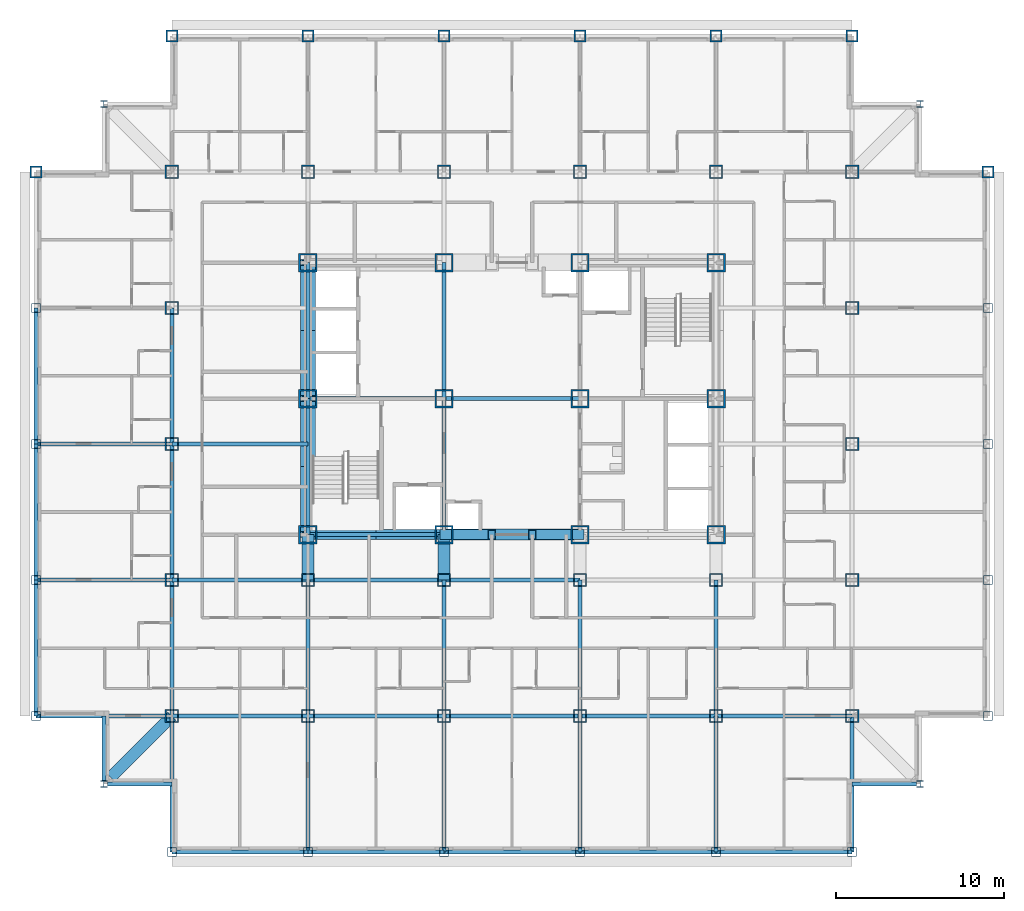
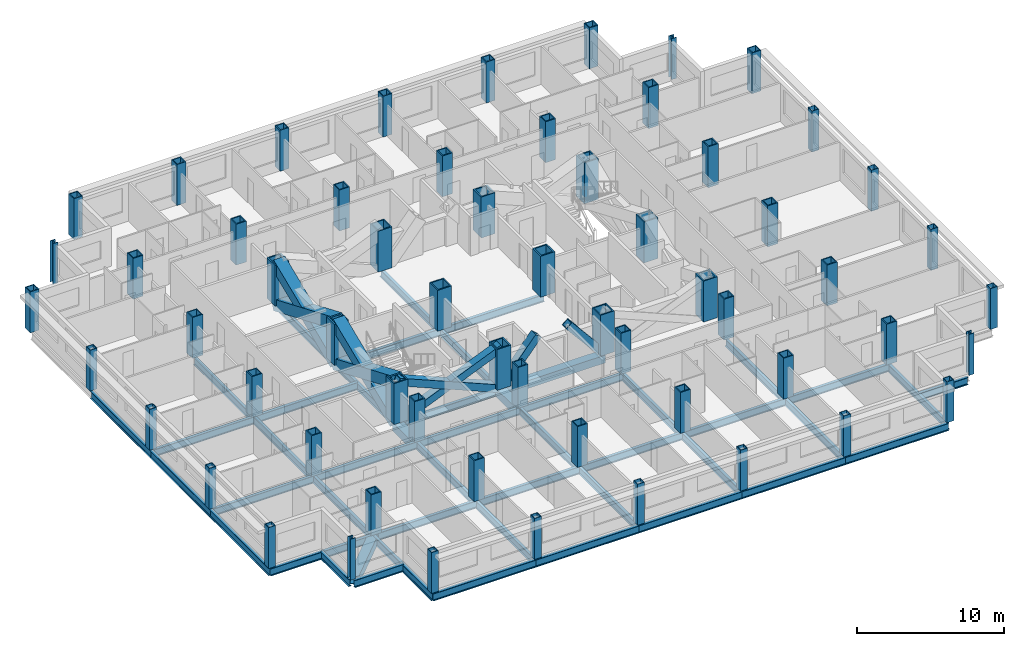
# One storey, part 1 of 15: 60 columns, 47 beams, 8 members.
"""IFC4 building model written with IfcOpenShell, lengths in metres."""

import ifcopenshell
import ifcopenshell.guid

model = None  # the IFC model being written
_history = None  # IfcOwnerHistory: only IFC2X3 demands one
_inside = {}  # id of a spatial element -> (the spatial element, [elements in it])
_under = {}  # id of a project, library or spatial element -> (it, [spatial elements below it])
_declared = {}  # id of a project -> (the project, [libraries it declares])
_typed = {}  # id of a type object -> (the type object, [elements of that type])
_made_of = {}  # id of a material, layer set ... -> (it, [elements and type objects made of it])


def new_model(schema):
    """Start an empty IFC model of exactly this schema.

    Asked for "IFC4X3", IfcOpenShell would pick the latest addendum, in which some entities
    have other attributes; the version numbers below select the first issue.
    IFC2X3 requires an IfcOwnerHistory on every rooted entity: one is made here for all.
    """
    global model, _history
    if schema == "IFC4X3":
        model = ifcopenshell.file(schema_version=(4, 3, 0, 0))
    else:
        model = ifcopenshell.file(schema=schema)
    _inside.clear()
    _under.clear()
    _declared.clear()
    _typed.clear()
    _made_of.clear()
    _history = None
    if model.schema == "IFC2X3":
        org = make("IfcOrganization", Name="unknown")
        user = make(
            "IfcPersonAndOrganization",
            ThePerson=make("IfcPerson", FamilyName="unknown"),
            TheOrganization=org,
        )
        app = make(
            "IfcApplication",
            ApplicationDeveloper=org,
            Version="unknown",
            ApplicationFullName="unknown",
            ApplicationIdentifier="unknown",
        )
        _history = make(
            "IfcOwnerHistory",
            OwningUser=user,
            OwningApplication=app,
            ChangeAction="ADDED",
            CreationDate=0,
        )
    return model


def make(cls, **values):
    """One entity of the class cls with the attributes given. An attribute that is None is left unset."""
    return model.create_entity(
        cls, **{name: value for name, value in values.items() if value is not None}
    )


def rooted(cls, **values):
    """An entity with a GlobalId (a new one), such as an element, a storey or a relation."""
    return make(cls, GlobalId=ifcopenshell.guid.new(), OwnerHistory=_history, **values)


def si_unit(unit_type, name, prefix=None):
    """IfcSIUnit, for example si_unit("LENGTHUNIT", "METRE", prefix="MILLI")."""
    return make("IfcSIUnit", UnitType=unit_type, Prefix=prefix, Name=name)


def assignment(units):
    """IfcUnitAssignment: the units of a project."""
    return None if units is None else make("IfcUnitAssignment", Units=units)


def point(xyz):
    """IfcCartesianPoint."""
    return None if xyz is None else make("IfcCartesianPoint", Coordinates=xyz)


def direction(xyz):
    """IfcDirection."""
    return None if xyz is None else make("IfcDirection", DirectionRatios=xyz)


def frame(location, z_axis=None, x_axis=None):
    """IfcAxis2Placement3D, a coordinate frame: its origin and axes. An axis left out is left unset."""
    return make(
        "IfcAxis2Placement3D",
        Location=point(location),
        Axis=direction(z_axis),
        RefDirection=direction(x_axis),
    )


def frame_2d(location, x_axis=None):
    """IfcAxis2Placement2D, a coordinate frame in the plane: its origin and x axis."""
    return make(
        "IfcAxis2Placement2D", Location=point(location), RefDirection=direction(x_axis)
    )


def origin():
    """The frame at (0, 0, 0) with its axes left unset."""
    return frame((0.0, 0.0, 0.0))


def origin_2d():
    """The frame at (0, 0) in the plane with its x axis left unset."""
    return frame_2d((0.0, 0.0))


def place(relative_to, where):
    """IfcLocalPlacement: puts the frame where relative to a parent placement (None: the world)."""
    return make(
        "IfcLocalPlacement", PlacementRelTo=relative_to, RelativePlacement=where
    )


def context(
    kind, dimensions, precision=None, world=None, true_north=None, identifier=None
):
    """IfcGeometricRepresentationContext, for example the 3D "Model" context."""
    return make(
        "IfcGeometricRepresentationContext",
        ContextIdentifier=identifier,
        ContextType=kind,
        CoordinateSpaceDimension=dimensions,
        Precision=precision,
        WorldCoordinateSystem=world,
        TrueNorth=true_north,
    )


def subcontext(parent, identifier, kind, view, scale=None):
    """IfcGeometricRepresentationSubContext, for example "Body" below "Model"."""
    return make(
        "IfcGeometricRepresentationSubContext",
        ContextIdentifier=identifier,
        ContextType=kind,
        ParentContext=parent,
        TargetScale=scale,
        TargetView=view,
    )


def project(units=None, contexts=None):
    """IfcProject with its units and contexts."""
    return rooted(
        "IfcProject",
        Name="project",
        RepresentationContexts=contexts,
        UnitsInContext=assignment(units),
    )


def spatial(cls, under=None, at=None, **own):
    """A site, building, storey or space (cls), placed at a placement, below another one or the project."""
    s = rooted(cls, ObjectPlacement=at, **own)
    if under is not None:
        _under.setdefault(under.id(), (under, []))[1].append(s)
    return s


def profile(cls, at=None, kind="AREA", **sizes):
    """A parametric profile (cls). Its sizes go by their IFC names, for example OverallWidth=200.0."""
    return make(cls, ProfileType=kind, Position=at, **sizes)


def hollow_rectangle(**sizes):
    """IfcRectangleHollowProfileDef."""
    return profile("IfcRectangleHollowProfileDef", **sizes)


def i_section(**sizes):
    """IfcIShapeProfileDef."""
    return profile("IfcIShapeProfileDef", **sizes)


def extrude(swept, where, along, depth):
    """IfcExtrudedAreaSolid: the profile swept, set in the frame where, extruded along a direction by depth."""
    return make(
        "IfcExtrudedAreaSolid",
        SweptArea=swept,
        Position=where,
        ExtrudedDirection=direction(along),
        Depth=depth,
    )


def shape(context_of_items, identifier, shape_type, items):
    """IfcShapeRepresentation: the items that make up one representation, for example the "Body"."""
    return make(
        "IfcShapeRepresentation",
        ContextOfItems=context_of_items,
        RepresentationIdentifier=identifier,
        RepresentationType=shape_type,
        Items=items,
    )


def material(Name=None, Category=None):
    """IfcMaterial."""
    return make("IfcMaterial", Name=Name, Category=Category)


def material_profile(
    of_material, cross_section, Name=None, Category=None, Priority=None
):
    """IfcMaterialProfile: a cross section and its material."""
    return make(
        "IfcMaterialProfile",
        Name=Name,
        Material=of_material,
        Profile=cross_section,
        Priority=Priority,
        Category=Category,
    )


def profile_set(profiles, Name=None, composite=None):
    """IfcMaterialProfileSet."""
    return make(
        "IfcMaterialProfileSet",
        Name=Name,
        MaterialProfiles=profiles,
        CompositeProfile=composite,
    )


def made_of(thing, what):
    """Note that an element or type object is made of a material, layer set ...; save() writes the relation."""
    if what is not None:
        _made_of.setdefault(what.id(), (what, []))[1].append(thing)
    return thing


def type_object(cls, material=None, **own):
    """A type object (cls), such as IfcWallType, which elements share."""
    return made_of(rooted(cls, **own), material)


def element(
    cls,
    number,
    at=None,
    inside=None,
    cuts=None,
    type_object=None,
    material=None,
    context=None,
    identifier="Body",
    shape_type=None,
    held_by="IfcProductDefinitionShape",
    body=None,
    shapes=None,
    **own,
):
    """One element of the class cls, such as IfcWall. Its Tag is "e" and its number.

    at: its placement. inside: the storey or other place that contains it. cuts: it is an
    opening in that element (IfcRelVoidsElement). A single representation is given by context,
    identifier, shape_type and body (its items); several are given by shapes. held_by: the class
    of the entity that holds the representations. save() writes the other relations.
    """
    e = rooted(cls, Tag="e%d" % number, ObjectPlacement=at, **own)
    if body is not None:
        shapes = [shape(context, identifier, shape_type, body)]
    if shapes is not None:
        e.Representation = make(held_by, Representations=shapes)
    if inside is not None:
        _inside.setdefault(inside.id(), (inside, []))[1].append(e)
    if cuts is not None:
        rooted(
            "IfcRelVoidsElement", RelatingBuildingElement=cuts, RelatedOpeningElement=e
        )
    if type_object is not None:
        _typed.setdefault(type_object.id(), (type_object, []))[1].append(e)
    return made_of(e, material)


def aggregate(whole, parts):
    """IfcRelAggregates: a whole, such as a stair, and the parts it consists of."""
    return rooted("IfcRelAggregates", RelatingObject=whole, RelatedObjects=parts)


def save(model, path):
    """Write the relations noted so far, then the file.

    IfcRelAggregates (storeys below a building ...), IfcRelContainedInSpatialStructure (elements
    in a storey), IfcRelDefinesByType, IfcRelAssociatesMaterial and IfcRelDeclares: one each for
    every whole, place, type object, material and project.
    """
    for whole, parts in _under.values():
        aggregate(whole, parts)
    for where, things in _inside.values():
        rooted(
            "IfcRelContainedInSpatialStructure",
            RelatedElements=things,
            RelatingStructure=where,
        )
    for kind, things in _typed.values():
        rooted("IfcRelDefinesByType", RelatedObjects=things, RelatingType=kind)
    for what, things in _made_of.values():
        rooted("IfcRelAssociatesMaterial", RelatedObjects=things, RelatingMaterial=what)
    for by, libraries in _declared.values():
        rooted("IfcRelDeclares", RelatingContext=by, RelatedDefinitions=libraries)
    model.write(path)


model = new_model("IFC4")

# Units and contexts
model_context = context("Model", 3, precision=1e-05, world=origin(), true_north=direction((0.0, 1.0)))
body_context = subcontext(model_context, "Body", "Model", "MODEL_VIEW")
ifc_project = project(units=[si_unit("LENGTHUNIT", "METRE"), si_unit("AREAUNIT", "SQUARE_METRE"), si_unit("VOLUMEUNIT", "CUBIC_METRE"), si_unit("PLANEANGLEUNIT", "RADIAN"), si_unit("MASSUNIT", "GRAM", prefix="KILO")], contexts=[model_context])

# Site, building, storey
site_placement = place(None, origin())
site = spatial("IfcSite", under=ifc_project, at=site_placement, CompositionType="ELEMENT")
building_placement = place(site_placement, origin())
building = spatial("IfcBuilding", under=site, at=building_placement, Name="Kopane Lantern Tower", CompositionType="ELEMENT")
storey_placement = place(building_placement, frame((0.0, 0.0, 140.800048828125)))
storey = spatial("IfcBuildingStorey", under=building, at=storey_placement, Name="L36", CompositionType="ELEMENT", Elevation=140.800048828125)

# Columns
ifc_material_1 = material(Name="Steel S355JR", Category="steel")
ifc_material_profile_1 = material_profile(ifc_material_1, hollow_rectangle(XDim=1.10009765625, YDim=1.10009765625, WallThickness=0.10009765625, at=origin_2d()), Name="BOX 1100x1100x100")
ifc_profile_set_1 = profile_set([ifc_material_profile_1], Name="Steel S355JR")
column_type_1 = type_object("IfcColumnType", Name="COLUMN BOX 1100x1100x100", PredefinedType="COLUMN", material=ifc_profile_set_1)
for number, where, z_axis, x_axis, name in (
    (1, (16.199951171875, 24.300048828125, 0.0), (0.0, 0.0, 1.0), (1.0, 0.0, 0.0), "Column 4/E L36"),
    (2, (16.199951171875, 32.39990234375, 0.0), (0.0, 0.0, 1.0), (1.0, 0.0, 0.0), "Column 4/F L36"),
    (3, (16.199951171875, 40.5, 0.0), (0.0, 0.0, 1.0), (1.0, 0.0, 0.0), "Column 4/G L36"),
    (4, (24.300048828125, 24.300048828125, 0.0), (0.0, 0.0, 1.0), (1.0, 0.0, 0.0), "Column 5/E L36"),
    (5, (24.300048828125, 32.39990234375, 0.0), (0.0, 0.0, 1.0), (1.0, 0.0, 0.0), "Column 5/F L36"),
    (6, (24.300048828125, 40.5, 0.0), (0.0, 0.0, 1.0), (1.0, 0.0, 0.0), "Column 5/G L36"),
    (7, (32.39990234375, 24.300048828125, 0.0), (0.0, 0.0, 1.0), (1.0, 0.0, 0.0), "Column 6/E L36"),
    (8, (32.39990234375, 32.39990234375, 0.0), (0.0, 0.0, 1.0), (1.0, 0.0, 0.0), "Column 6/F L36"),
    (9, (32.39990234375, 40.5, 0.0), (0.0, 0.0, 1.0), (1.0, 0.0, 0.0), "Column 6/G L36"),
    (10, (40.5, 24.300048828125, 0.0), (0.0, 0.0, 1.0), (1.0, 0.0, 0.0), "Column 7/E L36"),
    (11, (40.5, 32.39990234375, 0.0), (0.0, 0.0, 1.0), (1.0, 0.0, 0.0), "Column 7/F L36"),
    (12, (40.5, 40.5, 0.0), (0.0, 0.0, 1.0), (1.0, 0.0, 0.0), "Column 7/G L36"),
):
    element("IfcColumn", number, at=place(storey_placement, frame(where, z_axis=z_axis, x_axis=x_axis)), inside=storey, type_object=column_type_1, Name=name, PredefinedType="COLUMN", context=body_context, shape_type="SweptSolid", body=[
        extrude(hollow_rectangle(XDim=1.10009765625, YDim=1.10009765625, WallThickness=0.10009765625, at=origin_2d()), origin(), (0.0, 0.0, 1.0), 3.39990234375),
    ])
ifc_material_2 = material(Name="Steel S355JR", Category="steel")
ifc_material_profile_2 = material_profile(ifc_material_2, hollow_rectangle(XDim=0.550048828125, YDim=0.550048828125, WallThickness=0.0400390625, at=origin_2d()), Name="BOX 550x550x40")
ifc_profile_set_2 = profile_set([ifc_material_profile_2], Name="Steel S355JR")
column_type_2 = type_object("IfcColumnType", Name="COLUMN BOX 550x550x40", PredefinedType="COLUMN", material=ifc_profile_set_2)
for number, where, z_axis, x_axis, name in (
    (13, (0.0, 13.5, 0.0), (0.0, 0.0, 1.0), (1.0, 0.0, 0.0), "Column 2/P2 L36"),
    (14, (0.0, 21.60009765625, 0.0), (0.0, 0.0, 1.0), (1.0, 0.0, 0.0), "Column 2/P3 L36"),
    (15, (0.0, 29.699951171875, 0.0), (0.0, 0.0, 1.0), (1.0, 0.0, 0.0), "Column 2/P4 L36"),
    (16, (0.0, 37.800048828125, 0.0), (0.0, 0.0, 1.0), (1.0, 0.0, 0.0), "Column 2/P5 L36"),
    (17, (8.10009765625, 5.39990234375, 0.0), (0.0, 0.0, 1.0), (1.0, 0.0, 0.0), "Column 3/P1 L36"),
    (18, (16.199951171875, 5.39990234375, 0.0), (0.0, 0.0, 1.0), (1.0, 0.0, 0.0), "Column 4/P1 L36"),
    (19, (24.300048828125, 5.39990234375, 0.0), (0.0, 0.0, 1.0), (1.0, 0.0, 0.0), "Column 5/P1 L36"),
    (20, (32.39990234375, 5.39990234375, 0.0), (0.0, 0.0, 1.0), (1.0, 0.0, 0.0), "Column 6/P1 L36"),
    (21, (40.5, 5.39990234375, 0.0), (0.0, 0.0, 1.0), (1.0, 0.0, 0.0), "Column 7/P1 L36"),
    (22, (48.60009765625, 5.39990234375, 0.0), (0.0, 0.0, 1.0), (1.0, 0.0, 0.0), "Column 8/P1 L36"),
    (23, (56.699951171875, 13.5, 0.0), (0.0, 0.0, 1.0), (1.0, 0.0, 0.0), "Column 9/P2 L36"),
    (24, (56.699951171875, 21.60009765625, 0.0), (0.0, 0.0, 1.0), (1.0, 0.0, 0.0), "Column 9/P3 L36"),
    (25, (56.699951171875, 29.699951171875, 0.0), (0.0, 0.0, 1.0), (1.0, 0.0, 0.0), "Column 9/P4 L36"),
    (26, (56.699951171875, 37.800048828125, 0.0), (0.0, 0.0, 1.0), (1.0, 0.0, 0.0), "Column 9/P5 L36"),
):
    element("IfcColumn", number, at=place(storey_placement, frame(where, z_axis=z_axis, x_axis=x_axis)), inside=storey, type_object=column_type_2, Name=name, PredefinedType="COLUMN", context=body_context, shape_type="SweptSolid", body=[
        extrude(hollow_rectangle(XDim=0.550048828125, YDim=0.550048828125, WallThickness=0.0400390625, at=origin_2d()), origin(), (0.0, 0.0, 1.0), 3.39990234375),
    ])
ifc_material_3 = material(Name="Steel S355JR", Category="steel")
ifc_material_profile_3 = material_profile(ifc_material_3, hollow_rectangle(XDim=0.699951171875, YDim=0.699951171875, WallThickness=0.070068359375, at=origin_2d()), Name="BOX 700x700x70")
ifc_profile_set_3 = profile_set([ifc_material_profile_3], Name="Steel S355JR")
column_type_3 = type_object("IfcColumnType", Name="COLUMN BOX 700x700x70", PredefinedType="COLUMN", material=ifc_profile_set_3)
for number, where, z_axis, x_axis, name in (
    (27, (0.0, 45.89990234375, 0.0), (0.0, 0.0, 1.0), (1.0, 0.0, 0.0), "Column 2/P6 L36"),
    (28, (8.10009765625, 54.0, 0.0), (0.0, 0.0, 1.0), (1.0, 0.0, 0.0), "Column 3/P7 L36"),
    (29, (16.199951171875, 54.0, 0.0), (0.0, 0.0, 1.0), (1.0, 0.0, 0.0), "Column 4/P7 L36"),
    (30, (24.300048828125, 54.0, 0.0), (0.0, 0.0, 1.0), (1.0, 0.0, 0.0), "Column 5/P7 L36"),
    (31, (32.39990234375, 54.0, 0.0), (0.0, 0.0, 1.0), (1.0, 0.0, 0.0), "Column 6/P7 L36"),
    (32, (40.5, 54.0, 0.0), (0.0, 0.0, 1.0), (1.0, 0.0, 0.0), "Column 7/P7 L36"),
    (33, (48.60009765625, 54.0, 0.0), (0.0, 0.0, 1.0), (1.0, 0.0, 0.0), "Column 8/P7 L36"),
    (34, (56.699951171875, 45.89990234375, 0.0), (0.0, 0.0, 1.0), (1.0, 0.0, 0.0), "Column 9/P6 L36"),
):
    element("IfcColumn", number, at=place(storey_placement, frame(where, z_axis=z_axis, x_axis=x_axis)), inside=storey, type_object=column_type_3, Name=name, PredefinedType="COLUMN", context=body_context, shape_type="SweptSolid", body=[
        extrude(hollow_rectangle(XDim=0.699951171875, YDim=0.699951171875, WallThickness=0.070068359375, at=origin_2d()), origin(), (0.0, 0.0, 1.0), 3.39990234375),
    ])
ifc_material_4 = material(Name="Steel S355JR", Category="steel")
ifc_material_profile_4 = material_profile(ifc_material_4, hollow_rectangle(XDim=0.800048828125, YDim=0.800048828125, WallThickness=0.080078125, at=origin_2d()), Name="BOX 800x800x80")
ifc_profile_set_4 = profile_set([ifc_material_profile_4], Name="Steel S355JR")
column_type_4 = type_object("IfcColumnType", Name="COLUMN BOX 800x800x80", PredefinedType="COLUMN", material=ifc_profile_set_4)
for number, where, z_axis, x_axis, name in (
    (35, (8.10009765625, 13.5, 0.0), (0.0, 0.0, 1.0), (1.0, 0.0, 0.0), "Column 3/P2 L36"),
    (36, (8.10009765625, 21.60009765625, 0.0), (0.0, 0.0, 1.0), (1.0, 0.0, 0.0), "Column 3/P3 L36"),
    (37, (8.10009765625, 29.699951171875, 0.0), (0.0, 0.0, 1.0), (1.0, 0.0, 0.0), "Column 3/P4 L36"),
    (38, (8.10009765625, 37.800048828125, 0.0), (0.0, 0.0, 1.0), (1.0, 0.0, 0.0), "Column 3/P5 L36"),
    (39, (8.10009765625, 45.89990234375, 0.0), (0.0, 0.0, 1.0), (1.0, 0.0, 0.0), "Column 3/P6 L36"),
    (40, (16.199951171875, 13.5, 0.0), (0.0, 0.0, 1.0), (1.0, 0.0, 0.0), "Column 4/P2 L36"),
    (41, (16.199951171875, 21.60009765625, 0.0), (0.0, 0.0, 1.0), (1.0, 0.0, 0.0), "Column 4/P3 L36"),
    (42, (16.199951171875, 45.89990234375, 0.0), (0.0, 0.0, 1.0), (1.0, 0.0, 0.0), "Column 4/P6 L36"),
    (43, (24.300048828125, 13.5, 0.0), (0.0, 0.0, 1.0), (1.0, 0.0, 0.0), "Column 5/P2 L36"),
    (44, (24.300048828125, 21.60009765625, 0.0), (0.0, 0.0, 1.0), (1.0, 0.0, 0.0), "Column 5/P3 L36"),
    (45, (24.300048828125, 45.89990234375, 0.0), (0.0, 0.0, 1.0), (1.0, 0.0, 0.0), "Column 5/P6 L36"),
    (46, (32.39990234375, 13.5, 0.0), (0.0, 0.0, 1.0), (1.0, 0.0, 0.0), "Column 6/P2 L36"),
    (47, (32.39990234375, 21.60009765625, 0.0), (0.0, 0.0, 1.0), (1.0, 0.0, 0.0), "Column 6/P3 L36"),
    (48, (32.39990234375, 45.89990234375, 0.0), (0.0, 0.0, 1.0), (1.0, 0.0, 0.0), "Column 6/P6 L36"),
    (49, (40.5, 13.5, 0.0), (0.0, 0.0, 1.0), (1.0, 0.0, 0.0), "Column 7/P2 L36"),
    (50, (40.5, 21.60009765625, 0.0), (0.0, 0.0, 1.0), (1.0, 0.0, 0.0), "Column 7/P3 L36"),
    (51, (40.5, 45.89990234375, 0.0), (0.0, 0.0, 1.0), (1.0, 0.0, 0.0), "Column 7/P6 L36"),
    (52, (48.60009765625, 13.5, 0.0), (0.0, 0.0, 1.0), (1.0, 0.0, 0.0), "Column 8/P2 L36"),
    (53, (48.60009765625, 21.60009765625, 0.0), (0.0, 0.0, 1.0), (1.0, 0.0, 0.0), "Column 8/P3 L36"),
    (54, (48.60009765625, 29.699951171875, 0.0), (0.0, 0.0, 1.0), (1.0, 0.0, 0.0), "Column 8/P4 L36"),
    (55, (48.60009765625, 37.800048828125, 0.0), (0.0, 0.0, 1.0), (1.0, 0.0, 0.0), "Column 8/P5 L36"),
    (56, (48.60009765625, 45.89990234375, 0.0), (0.0, 0.0, 1.0), (1.0, 0.0, 0.0), "Column 8/P6 L36"),
):
    element("IfcColumn", number, at=place(storey_placement, frame(where, z_axis=z_axis, x_axis=x_axis)), inside=storey, type_object=column_type_4, Name=name, PredefinedType="COLUMN", context=body_context, shape_type="SweptSolid", body=[
        extrude(hollow_rectangle(XDim=0.800048828125, YDim=0.800048828125, WallThickness=0.080078125, at=origin_2d()), origin(), (0.0, 0.0, 1.0), 3.39990234375),
    ])
ifc_material_5 = material(Name="Steel S355JR", Category="steel")
ifc_material_profile_5 = material_profile(ifc_material_5, i_section(OverallWidth=0.406982421875, OverallDepth=0.4189453125, WebThickness=0.030517578125, FlangeThickness=0.04931640625, FilletRadius=0.01513671875, at=origin_2d()), Name="UC 356x406x393")
ifc_profile_set_5 = profile_set([ifc_material_profile_5], Name="Steel S355JR")
column_type_5 = type_object("IfcColumnType", Name="COLUMN UC 356x406x393", PredefinedType="COLUMN", material=ifc_profile_set_5)
for number, where, z_axis, x_axis, name in (
    (57, (4.050048828125, 9.449951171875, 0.0), (0.0, 0.0, 1.0), (1.0, 0.0, 0.0), "Column 4.05/9.45 L36"),
    (58, (4.050048828125, 49.949951171875, 0.0), (0.0, 0.0, 1.0), (1.0, 0.0, 0.0), "Column 4.05/49.95 L36"),
    (59, (52.64990234375, 9.449951171875, 0.0), (0.0, 0.0, 1.0), (1.0, 0.0, 0.0), "Column 52.65/9.45 L36"),
    (60, (52.64990234375, 49.949951171875, 0.0), (0.0, 0.0, 1.0), (1.0, 0.0, 0.0), "Column 52.65/49.95 L36"),
):
    element("IfcColumn", number, at=place(storey_placement, frame(where, z_axis=z_axis, x_axis=x_axis)), inside=storey, type_object=column_type_5, Name=name, PredefinedType="COLUMN", context=body_context, shape_type="SweptSolid", body=[
        extrude(i_section(OverallWidth=0.406982421875, OverallDepth=0.4189453125, WebThickness=0.030517578125, FlangeThickness=0.04931640625, FilletRadius=0.01513671875, at=origin_2d()), origin(), (0.0, 0.0, 1.0), 3.39990234375),
    ])

# Members
ifc_material_6 = material(Name="Steel S355JR", Category="steel")
ifc_material_profile_6 = material_profile(ifc_material_6, hollow_rectangle(XDim=0.60009765625, YDim=0.60009765625, WallThickness=0.050048828125, at=origin_2d()), Name="BOX 600x600x50")
ifc_profile_set_6 = profile_set([ifc_material_profile_6], Name="Steel S355JR")
member_type_1 = type_object("IfcMemberType", Name="BRACE BOX 600x600x50", PredefinedType="BRACE", material=ifc_profile_set_6)
for number, where, z_axis, x_axis, name in (
    (61, (16.199951171875, 24.300048828125, -0.2099609375), (0.922069000757, 0.0, 0.387025526088), (0.0, 1.0, 0.0), "Core brace L36"),
    (62, (24.300048828125, 24.300048828125, -0.2099609375), (-0.922069000757, 0.0, 0.387025526088), (0.0, -1.0, 0.0), "Core brace L36"),
):
    element("IfcMember", number, at=place(storey_placement, frame(where, z_axis=z_axis, x_axis=x_axis)), inside=storey, type_object=member_type_1, Name=name, PredefinedType="BRACE", context=body_context, shape_type="SweptSolid", body=[
        extrude(hollow_rectangle(XDim=0.60009765625, YDim=0.60009765625, WallThickness=0.050048828125, at=origin_2d()), origin(), (0.0, 0.0, 1.0), 8.78466796875),
    ])
for number, where, z_axis, x_axis, name in (
    (63, (24.300048828125, 24.300048828125, -0.2099609375), (0.642390257445, 0.0, 0.7663776857), (0.0, 1.0, 0.0), "Core brace L36"),
    (64, (32.39990234375, 24.300048828125, -0.2099609375), (-0.642390257445, 0.0, 0.7663776857), (0.0, -1.0, 0.0), "Core brace L36"),
):
    element("IfcMember", number, at=place(storey_placement, frame(where, z_axis=z_axis, x_axis=x_axis)), inside=storey, type_object=member_type_1, Name=name, PredefinedType="BRACE", context=body_context, shape_type="SweptSolid", body=[
        extrude(hollow_rectangle(XDim=0.60009765625, YDim=0.60009765625, WallThickness=0.050048828125, at=origin_2d()), origin(), (0.0, 0.0, 1.0), 4.436279296875),
    ])
ifc_material_7 = material(Name="Steel S355JR", Category="steel")
ifc_material_profile_7 = material_profile(ifc_material_7, hollow_rectangle(XDim=0.89990234375, YDim=0.89990234375, WallThickness=0.090087890625, at=origin_2d()), Name="BOX 900x900x90")
ifc_profile_set_7 = profile_set([ifc_material_profile_7], Name="Steel S355JR")
member_type_2 = type_object("IfcMemberType", Name="BRACE BOX 900x900x90", PredefinedType="BRACE", material=ifc_profile_set_7)
for number, where, z_axis, x_axis, name in (
    (65, (16.199951171875, 24.300048828125, -0.2099609375), (0.0, 0.922064837731, 0.38703544414), (-1.0, 0.0, 0.0), "Core brace L36"),
    (66, (16.199951171875, 32.39990234375, -0.2099609375), (0.0, -0.922064837731, 0.38703544414), (1.0, 0.0, 0.0), "Core brace L36"),
):
    element("IfcMember", number, at=place(storey_placement, frame(where, z_axis=z_axis, x_axis=x_axis)), inside=storey, type_object=member_type_2, Name=name, PredefinedType="BRACE", context=body_context, shape_type="SweptSolid", body=[
        extrude(hollow_rectangle(XDim=0.89990234375, YDim=0.89990234375, WallThickness=0.090087890625, at=origin_2d()), origin(), (0.0, 0.0, 1.0), 8.784423828125),
    ])
for number, where, z_axis, x_axis, name in (
    (67, (16.199951171875, 32.39990234375, -0.2099609375), (0.0, 0.922069000757, 0.387025526088), (-1.0, 0.0, 0.0), "Core brace L36"),
    (68, (16.199951171875, 40.5, -0.2099609375), (0.0, -0.922069000757, 0.387025526088), (1.0, 0.0, 0.0), "Core brace L36"),
):
    element("IfcMember", number, at=place(storey_placement, frame(where, z_axis=z_axis, x_axis=x_axis)), inside=storey, type_object=member_type_2, Name=name, PredefinedType="BRACE", context=body_context, shape_type="SweptSolid", body=[
        extrude(hollow_rectangle(XDim=0.89990234375, YDim=0.89990234375, WallThickness=0.090087890625, at=origin_2d()), origin(), (0.0, 0.0, 1.0), 8.78466796875),
    ])

# Beams
ifc_material_8 = material(Name="Steel S355JR", Category="steel")
ifc_material_profile_8 = material_profile(ifc_material_8, i_section(OverallWidth=0.22900390625, OverallDepth=0.6123046875, WebThickness=0.011962890625, FlangeThickness=0.01953125, FilletRadius=0.0126953125, at=origin_2d()), Name="UB 610x229x125")
ifc_profile_set_8 = profile_set([ifc_material_profile_8], Name="Steel S355JR")
beam_type_1 = type_object("IfcBeamType", Name="CORE BEAM UB 610x229x125", PredefinedType="BEAM", material=ifc_profile_set_8)
beam_1_placement = place(storey_placement, frame((16.199951171875, 32.39990234375, -0.51611328125), z_axis=(1.0, 0.0, 0.0), x_axis=(0.0, 1.0, 0.0)))
element("IfcBeam", 69, at=beam_1_placement, inside=storey, type_object=beam_type_1, Name="Core Beam L36", PredefinedType="BEAM", context=body_context, shape_type="SweptSolid", body=[
    extrude(i_section(OverallWidth=0.22900390625, OverallDepth=0.6123046875, WebThickness=0.011962890625, FlangeThickness=0.01953125, FilletRadius=0.0126953125, at=origin_2d()), origin(), (0.0, 0.0, 1.0), 8.10009765625),
])
beam_2_placement = place(storey_placement, frame((24.300048828125, 24.300048828125, -0.51611328125), z_axis=(0.0, 1.0, 0.0), x_axis=(-1.0, 0.0, 0.0)))
element("IfcBeam", 70, at=beam_2_placement, inside=storey, type_object=beam_type_1, Name="Core Beam L36", PredefinedType="BEAM", context=body_context, shape_type="SweptSolid", body=[
    extrude(i_section(OverallWidth=0.22900390625, OverallDepth=0.6123046875, WebThickness=0.011962890625, FlangeThickness=0.01953125, FilletRadius=0.0126953125, at=origin_2d()), origin(), (0.0, 0.0, 1.0), 8.099853515625),
])
beam_3_placement = place(storey_placement, frame((24.300048828125, 32.39990234375, -0.51611328125), z_axis=(0.0, 1.0, 0.0), x_axis=(-1.0, 0.0, 0.0)))
element("IfcBeam", 71, at=beam_3_placement, inside=storey, type_object=beam_type_1, Name="Core Beam L36", PredefinedType="BEAM", context=body_context, shape_type="SweptSolid", body=[
    extrude(i_section(OverallWidth=0.22900390625, OverallDepth=0.6123046875, WebThickness=0.011962890625, FlangeThickness=0.01953125, FilletRadius=0.0126953125, at=origin_2d()), origin(), (0.0, 0.0, 1.0), 8.10009765625),
])
beam_4_placement = place(storey_placement, frame((24.300048828125, 32.39990234375, -0.51611328125), z_axis=(1.0, 0.0, 0.0), x_axis=(0.0, 1.0, 0.0)))
element("IfcBeam", 72, at=beam_4_placement, inside=storey, type_object=beam_type_1, Name="Core Beam L36", PredefinedType="BEAM", context=body_context, shape_type="SweptSolid", body=[
    extrude(i_section(OverallWidth=0.22900390625, OverallDepth=0.6123046875, WebThickness=0.011962890625, FlangeThickness=0.01953125, FilletRadius=0.0126953125, at=origin_2d()), origin(), (0.0, 0.0, 1.0), 8.099853515625),
])
ifc_material_9 = material(Name="Steel S355JR", Category="steel")
ifc_material_profile_9 = material_profile(ifc_material_9, hollow_rectangle(XDim=0.699951171875, YDim=0.699951171875, WallThickness=0.06005859375, at=origin_2d()), Name="BOX 700x700x60")
ifc_profile_set_9 = profile_set([ifc_material_profile_9], Name="Steel S355JR")
beam_type_2 = type_object("IfcBeamType", Name="CORNER TIE BEAM BOX 700x700x60", PredefinedType="BEAM", material=ifc_profile_set_9)
beam_5_placement = place(storey_placement, frame((4.447509765625, 9.847412109375, -0.56005859375), z_axis=(0.707106781187, 0.707106781187, 0.0), x_axis=(-0.707106781187, 0.707106781187, 0.0)))
element("IfcBeam", 73, at=beam_5_placement, inside=storey, type_object=beam_type_2, Name="Corner Tie Beam L36", PredefinedType="BEAM", context=body_context, shape_type="SweptSolid", body=[
    extrude(hollow_rectangle(XDim=0.699951171875, YDim=0.699951171875, WallThickness=0.06005859375, at=origin_2d()), origin(), (0.0, 0.0, 1.0), 5.16552734375),
])
ifc_material_10 = material(Name="Steel S355JR", Category="steel")
ifc_material_profile_10 = material_profile(ifc_material_10, i_section(OverallWidth=0.22900390625, OverallDepth=0.6123046875, WebThickness=0.011962890625, FlangeThickness=0.01953125, FilletRadius=0.0126953125, at=origin_2d()), Name="UB 610x229x125")
ifc_profile_set_10 = profile_set([ifc_material_profile_10], Name="Steel S355JR")
beam_type_3 = type_object("IfcBeamType", Name="EDGE BEAM UB 610x229x125", PredefinedType="BEAM", material=ifc_profile_set_10)
beam_6_placement = place(storey_placement, frame((4.050048828125, 9.653564453125, -0.51611328125), z_axis=(0.0, 1.0, 0.0), x_axis=(-1.0, 0.0, 0.0)))
element("IfcBeam", 74, at=beam_6_placement, inside=storey, type_object=beam_type_3, Name="Edge Beam L36", PredefinedType="BEAM", context=body_context, shape_type="SweptSolid", body=[
    extrude(i_section(OverallWidth=0.22900390625, OverallDepth=0.6123046875, WebThickness=0.011962890625, FlangeThickness=0.01953125, FilletRadius=0.0126953125, at=origin_2d()), origin(), (0.0, 0.0, 1.0), 3.846435546875),
])
beam_7_placement = place(storey_placement, frame((4.25341796875, 9.449951171875, -0.51611328125), z_axis=(1.0, 0.0, 0.0), x_axis=(0.0, 1.0, 0.0)))
element("IfcBeam", 75, at=beam_7_placement, inside=storey, type_object=beam_type_3, Name="Edge Beam L36", PredefinedType="BEAM", context=body_context, shape_type="SweptSolid", body=[
    extrude(i_section(OverallWidth=0.22900390625, OverallDepth=0.6123046875, WebThickness=0.011962890625, FlangeThickness=0.01953125, FilletRadius=0.0126953125, at=origin_2d()), origin(), (0.0, 0.0, 1.0), 3.8466796875),
])
beam_8_placement = place(storey_placement, frame((52.446533203125, 9.449951171875, -0.51611328125), z_axis=(-1.0, 0.0, 0.0), x_axis=(0.0, -1.0, 0.0)))
element("IfcBeam", 76, at=beam_8_placement, inside=storey, type_object=beam_type_3, Name="Edge Beam L36", PredefinedType="BEAM", context=body_context, shape_type="SweptSolid", body=[
    extrude(i_section(OverallWidth=0.22900390625, OverallDepth=0.6123046875, WebThickness=0.011962890625, FlangeThickness=0.01953125, FilletRadius=0.0126953125, at=origin_2d()), origin(), (0.0, 0.0, 1.0), 3.846435546875),
])
ifc_material_11 = material(Name="Steel S355JR", Category="steel")
ifc_material_profile_11 = material_profile(ifc_material_11, hollow_rectangle(XDim=0.699951171875, YDim=0.699951171875, WallThickness=0.06005859375, at=origin_2d()), Name="BOX 700x700x60")
ifc_profile_set_11 = profile_set([ifc_material_profile_11], Name="Steel S355JR")
beam_type_4 = type_object("IfcBeamType", Name="GIRDER BOX 700x700x60", PredefinedType="BEAM", material=ifc_profile_set_11)
for number, where, z_axis, x_axis, name in (
    (77, (16.199951171875, 21.60009765625, -0.56005859375), (0.0, 1.0, 0.0), (-1.0, 0.0, 0.0), "Girder L36"),
    (78, (24.300048828125, 21.60009765625, -0.56005859375), (0.0, 1.0, 0.0), (-1.0, 0.0, 0.0), "Girder L36"),
):
    element("IfcBeam", number, at=place(storey_placement, frame(where, z_axis=z_axis, x_axis=x_axis)), inside=storey, type_object=beam_type_4, Name=name, PredefinedType="BEAM", context=body_context, shape_type="SweptSolid", body=[
        extrude(hollow_rectangle(XDim=0.699951171875, YDim=0.699951171875, WallThickness=0.06005859375, at=origin_2d()), origin(), (0.0, 0.0, 1.0), 2.699951171875),
    ])
ifc_material_12 = material(Name="Steel S355JR", Category="steel")
ifc_material_profile_12 = material_profile(ifc_material_12, i_section(OverallWidth=0.22900390625, OverallDepth=0.6123046875, WebThickness=0.011962890625, FlangeThickness=0.01953125, FilletRadius=0.0126953125, at=origin_2d()), Name="UB 610x229x125")
ifc_profile_set_12 = profile_set([ifc_material_profile_12], Name="Steel S355JR")
beam_type_5 = type_object("IfcBeamType", Name="GIRDER UB 610x229x125", PredefinedType="BEAM", material=ifc_profile_set_12)
for number, where, z_axis, x_axis, name in (
    (79, (0.0, 13.5, -0.51611328125), (0.0, 1.0, 0.0), (-1.0, 0.0, 0.0), "Girder L36"),
    (80, (0.0, 13.5, -0.51611328125), (1.0, 0.0, 0.0), (0.0, 1.0, 0.0), "Girder L36"),
):
    element("IfcBeam", number, at=place(storey_placement, frame(where, z_axis=z_axis, x_axis=x_axis)), inside=storey, type_object=beam_type_5, Name=name, PredefinedType="BEAM", context=body_context, shape_type="SweptSolid", body=[
        extrude(i_section(OverallWidth=0.22900390625, OverallDepth=0.6123046875, WebThickness=0.011962890625, FlangeThickness=0.01953125, FilletRadius=0.0126953125, at=origin_2d()), origin(), (0.0, 0.0, 1.0), 8.10009765625),
    ])
beam_9_placement = place(storey_placement, frame((0.0, 21.60009765625, -0.51611328125), z_axis=(0.0, 1.0, 0.0), x_axis=(-1.0, 0.0, 0.0)))
element("IfcBeam", 81, at=beam_9_placement, inside=storey, type_object=beam_type_5, Name="Girder L36", PredefinedType="BEAM", context=body_context, shape_type="SweptSolid", body=[
    extrude(i_section(OverallWidth=0.22900390625, OverallDepth=0.6123046875, WebThickness=0.011962890625, FlangeThickness=0.01953125, FilletRadius=0.0126953125, at=origin_2d()), origin(), (0.0, 0.0, 1.0), 8.099853515625),
])
for number, where, z_axis, x_axis, name in (
    (82, (0.0, 21.60009765625, -0.51611328125), (1.0, 0.0, 0.0), (0.0, 1.0, 0.0), "Girder L36"),
    (83, (0.0, 29.699951171875, -0.51611328125), (0.0, 1.0, 0.0), (-1.0, 0.0, 0.0), "Girder L36"),
    (84, (0.0, 29.699951171875, -0.51611328125), (1.0, 0.0, 0.0), (0.0, 1.0, 0.0), "Girder L36"),
    (85, (8.10009765625, 5.39990234375, -0.51611328125), (0.0, 1.0, 0.0), (-1.0, 0.0, 0.0), "Girder L36"),
):
    element("IfcBeam", number, at=place(storey_placement, frame(where, z_axis=z_axis, x_axis=x_axis)), inside=storey, type_object=beam_type_5, Name=name, PredefinedType="BEAM", context=body_context, shape_type="SweptSolid", body=[
        extrude(i_section(OverallWidth=0.22900390625, OverallDepth=0.6123046875, WebThickness=0.011962890625, FlangeThickness=0.01953125, FilletRadius=0.0126953125, at=origin_2d()), origin(), (0.0, 0.0, 1.0), 8.10009765625),
    ])
beam_10_placement = place(storey_placement, frame((8.10009765625, 5.39990234375, -0.51611328125), z_axis=(1.0, 0.0, 0.0), x_axis=(0.0, 1.0, 0.0)))
element("IfcBeam", 86, at=beam_10_placement, inside=storey, type_object=beam_type_5, Name="Girder L36", PredefinedType="BEAM", context=body_context, shape_type="SweptSolid", body=[
    extrude(i_section(OverallWidth=0.22900390625, OverallDepth=0.6123046875, WebThickness=0.011962890625, FlangeThickness=0.01953125, FilletRadius=0.0126953125, at=origin_2d()), origin(), (0.0, 0.0, 1.0), 8.099853515625),
])
beam_11_placement = place(storey_placement, frame((8.10009765625, 13.5, -0.51611328125), z_axis=(0.0, 1.0, 0.0), x_axis=(-1.0, 0.0, 0.0)))
element("IfcBeam", 87, at=beam_11_placement, inside=storey, type_object=beam_type_5, Name="Girder L36", PredefinedType="BEAM", context=body_context, shape_type="SweptSolid", body=[
    extrude(i_section(OverallWidth=0.22900390625, OverallDepth=0.6123046875, WebThickness=0.011962890625, FlangeThickness=0.01953125, FilletRadius=0.0126953125, at=origin_2d()), origin(), (0.0, 0.0, 1.0), 8.10009765625),
])
for number, where, z_axis, x_axis, name in (
    (88, (8.10009765625, 13.5, -0.51611328125), (1.0, 0.0, 0.0), (0.0, 1.0, 0.0), "Girder L36"),
    (89, (8.10009765625, 21.60009765625, -0.51611328125), (0.0, 1.0, 0.0), (-1.0, 0.0, 0.0), "Girder L36"),
    (90, (8.10009765625, 21.60009765625, -0.51611328125), (1.0, 0.0, 0.0), (0.0, 1.0, 0.0), "Girder L36"),
):
    element("IfcBeam", number, at=place(storey_placement, frame(where, z_axis=z_axis, x_axis=x_axis)), inside=storey, type_object=beam_type_5, Name=name, PredefinedType="BEAM", context=body_context, shape_type="SweptSolid", body=[
        extrude(i_section(OverallWidth=0.22900390625, OverallDepth=0.6123046875, WebThickness=0.011962890625, FlangeThickness=0.01953125, FilletRadius=0.0126953125, at=origin_2d()), origin(), (0.0, 0.0, 1.0), 8.099853515625),
    ])
beam_12_placement = place(storey_placement, frame((8.10009765625, 29.699951171875, -0.51611328125), z_axis=(0.0, 1.0, 0.0), x_axis=(-1.0, 0.0, 0.0)))
element("IfcBeam", 91, at=beam_12_placement, inside=storey, type_object=beam_type_5, Name="Girder L36", PredefinedType="BEAM", context=body_context, shape_type="SweptSolid", body=[
    extrude(i_section(OverallWidth=0.22900390625, OverallDepth=0.6123046875, WebThickness=0.011962890625, FlangeThickness=0.01953125, FilletRadius=0.0126953125, at=origin_2d()), origin(), (0.0, 0.0, 1.0), 8.10009765625),
])
beam_13_placement = place(storey_placement, frame((8.10009765625, 29.699951171875, -0.51611328125), z_axis=(1.0, 0.0, 0.0), x_axis=(0.0, 1.0, 0.0)))
element("IfcBeam", 92, at=beam_13_placement, inside=storey, type_object=beam_type_5, Name="Girder L36", PredefinedType="BEAM", context=body_context, shape_type="SweptSolid", body=[
    extrude(i_section(OverallWidth=0.22900390625, OverallDepth=0.6123046875, WebThickness=0.011962890625, FlangeThickness=0.01953125, FilletRadius=0.0126953125, at=origin_2d()), origin(), (0.0, 0.0, 1.0), 8.099853515625),
])
for number, where, z_axis, x_axis, name in (
    (93, (16.199951171875, 5.39990234375, -0.51611328125), (0.0, 1.0, 0.0), (-1.0, 0.0, 0.0), "Girder L36"),
    (94, (16.199951171875, 5.39990234375, -0.51611328125), (1.0, 0.0, 0.0), (0.0, 1.0, 0.0), "Girder L36"),
    (95, (16.199951171875, 13.5, -0.51611328125), (0.0, 1.0, 0.0), (-1.0, 0.0, 0.0), "Girder L36"),
    (96, (16.199951171875, 13.5, -0.51611328125), (1.0, 0.0, 0.0), (0.0, 1.0, 0.0), "Girder L36"),
    (97, (16.199951171875, 21.60009765625, -0.51611328125), (1.0, 0.0, 0.0), (0.0, 1.0, 0.0), "Girder L36"),
):
    element("IfcBeam", number, at=place(storey_placement, frame(where, z_axis=z_axis, x_axis=x_axis)), inside=storey, type_object=beam_type_5, Name=name, PredefinedType="BEAM", context=body_context, shape_type="SweptSolid", body=[
        extrude(i_section(OverallWidth=0.22900390625, OverallDepth=0.6123046875, WebThickness=0.011962890625, FlangeThickness=0.01953125, FilletRadius=0.0126953125, at=origin_2d()), origin(), (0.0, 0.0, 1.0), 8.10009765625),
    ])
beam_14_placement = place(storey_placement, frame((16.199951171875, 24.300048828125, -0.51611328125), z_axis=(0.0, 1.0, 0.0), x_axis=(-1.0, 0.0, 0.0)))
element("IfcBeam", 98, at=beam_14_placement, inside=storey, type_object=beam_type_5, Name="Girder L36", PredefinedType="BEAM", context=body_context, shape_type="SweptSolid", body=[
    extrude(i_section(OverallWidth=0.22900390625, OverallDepth=0.6123046875, WebThickness=0.011962890625, FlangeThickness=0.01953125, FilletRadius=0.0126953125, at=origin_2d()), origin(), (0.0, 0.0, 1.0), 8.099853515625),
])
for number, where, z_axis, x_axis, name in (
    (99, (16.199951171875, 24.300048828125, -0.51611328125), (1.0, 0.0, 0.0), (0.0, 1.0, 0.0), "Girder L36"),
    (100, (16.199951171875, 32.39990234375, -0.51611328125), (0.0, 1.0, 0.0), (-1.0, 0.0, 0.0), "Girder L36"),
    (101, (24.300048828125, 5.39990234375, -0.51611328125), (0.0, 1.0, 0.0), (-1.0, 0.0, 0.0), "Girder L36"),
):
    element("IfcBeam", number, at=place(storey_placement, frame(where, z_axis=z_axis, x_axis=x_axis)), inside=storey, type_object=beam_type_5, Name=name, PredefinedType="BEAM", context=body_context, shape_type="SweptSolid", body=[
        extrude(i_section(OverallWidth=0.22900390625, OverallDepth=0.6123046875, WebThickness=0.011962890625, FlangeThickness=0.01953125, FilletRadius=0.0126953125, at=origin_2d()), origin(), (0.0, 0.0, 1.0), 8.10009765625),
    ])
beam_15_placement = place(storey_placement, frame((24.300048828125, 5.39990234375, -0.51611328125), z_axis=(1.0, 0.0, 0.0), x_axis=(0.0, 1.0, 0.0)))
element("IfcBeam", 102, at=beam_15_placement, inside=storey, type_object=beam_type_5, Name="Girder L36", PredefinedType="BEAM", context=body_context, shape_type="SweptSolid", body=[
    extrude(i_section(OverallWidth=0.22900390625, OverallDepth=0.6123046875, WebThickness=0.011962890625, FlangeThickness=0.01953125, FilletRadius=0.0126953125, at=origin_2d()), origin(), (0.0, 0.0, 1.0), 8.099853515625),
])
beam_16_placement = place(storey_placement, frame((24.300048828125, 13.5, -0.51611328125), z_axis=(0.0, 1.0, 0.0), x_axis=(-1.0, 0.0, 0.0)))
element("IfcBeam", 103, at=beam_16_placement, inside=storey, type_object=beam_type_5, Name="Girder L36", PredefinedType="BEAM", context=body_context, shape_type="SweptSolid", body=[
    extrude(i_section(OverallWidth=0.22900390625, OverallDepth=0.6123046875, WebThickness=0.011962890625, FlangeThickness=0.01953125, FilletRadius=0.0126953125, at=origin_2d()), origin(), (0.0, 0.0, 1.0), 8.10009765625),
])
for number, where, z_axis, x_axis, name in (
    (104, (24.300048828125, 13.5, -0.51611328125), (1.0, 0.0, 0.0), (0.0, 1.0, 0.0), "Girder L36"),
    (105, (24.300048828125, 21.60009765625, -0.51611328125), (1.0, 0.0, 0.0), (0.0, 1.0, 0.0), "Girder L36"),
):
    element("IfcBeam", number, at=place(storey_placement, frame(where, z_axis=z_axis, x_axis=x_axis)), inside=storey, type_object=beam_type_5, Name=name, PredefinedType="BEAM", context=body_context, shape_type="SweptSolid", body=[
        extrude(i_section(OverallWidth=0.22900390625, OverallDepth=0.6123046875, WebThickness=0.011962890625, FlangeThickness=0.01953125, FilletRadius=0.0126953125, at=origin_2d()), origin(), (0.0, 0.0, 1.0), 8.099853515625),
    ])
for number, where, z_axis, x_axis, name in (
    (106, (32.39990234375, 5.39990234375, -0.51611328125), (0.0, 1.0, 0.0), (-1.0, 0.0, 0.0), "Girder L36"),
    (107, (32.39990234375, 5.39990234375, -0.51611328125), (1.0, 0.0, 0.0), (0.0, 1.0, 0.0), "Girder L36"),
    (108, (32.39990234375, 13.5, -0.51611328125), (0.0, 1.0, 0.0), (-1.0, 0.0, 0.0), "Girder L36"),
    (109, (32.39990234375, 13.5, -0.51611328125), (1.0, 0.0, 0.0), (0.0, 1.0, 0.0), "Girder L36"),
    (110, (40.5, 5.39990234375, -0.51611328125), (0.0, 1.0, 0.0), (-1.0, 0.0, 0.0), "Girder L36"),
    (111, (40.5, 5.39990234375, -0.51611328125), (1.0, 0.0, 0.0), (0.0, 1.0, 0.0), "Girder L36"),
    (112, (40.5, 13.5, -0.51611328125), (0.0, 1.0, 0.0), (-1.0, 0.0, 0.0), "Girder L36"),
    (113, (40.5, 13.5, -0.51611328125), (1.0, 0.0, 0.0), (0.0, 1.0, 0.0), "Girder L36"),
    (114, (48.60009765625, 5.39990234375, -0.51611328125), (0.0, 1.0, 0.0), (-1.0, 0.0, 0.0), "Girder L36"),
):
    element("IfcBeam", number, at=place(storey_placement, frame(where, z_axis=z_axis, x_axis=x_axis)), inside=storey, type_object=beam_type_5, Name=name, PredefinedType="BEAM", context=body_context, shape_type="SweptSolid", body=[
        extrude(i_section(OverallWidth=0.22900390625, OverallDepth=0.6123046875, WebThickness=0.011962890625, FlangeThickness=0.01953125, FilletRadius=0.0126953125, at=origin_2d()), origin(), (0.0, 0.0, 1.0), 8.10009765625),
    ])
ifc_material_13 = material(Name="Steel S355JR", Category="steel")
ifc_material_profile_13 = material_profile(ifc_material_13, hollow_rectangle(XDim=0.64990234375, YDim=0.64990234375, WallThickness=0.070068359375, at=origin_2d()), Name="BOX 650x650x70")
ifc_profile_set_13 = profile_set([ifc_material_profile_13], Name="Steel S355JR")
beam_type_6 = type_object("IfcBeamType", Name="LINK BEAM BOX 650x650x70", PredefinedType="BEAM", material=ifc_profile_set_13)
beam_17_placement = place(storey_placement, frame((24.300048828125, 24.300048828125, -0.53515625), z_axis=(1.0, 0.0, 0.0), x_axis=(0.0, 1.0, 0.0)))
element("IfcBeam", 115, at=beam_17_placement, inside=storey, type_object=beam_type_6, Name="Link Beam L36", PredefinedType="BEAM", context=body_context, shape_type="SweptSolid", body=[
    extrude(hollow_rectangle(XDim=0.64990234375, YDim=0.64990234375, WallThickness=0.070068359375, at=origin_2d()), origin(), (0.0, 0.0, 1.0), 8.099853515625),
])

save(model, "model.ifc")
